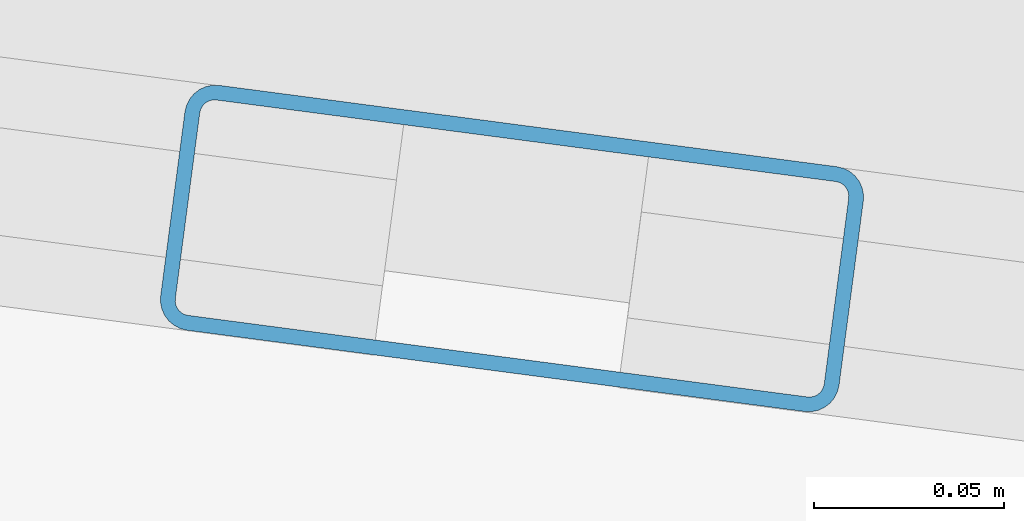
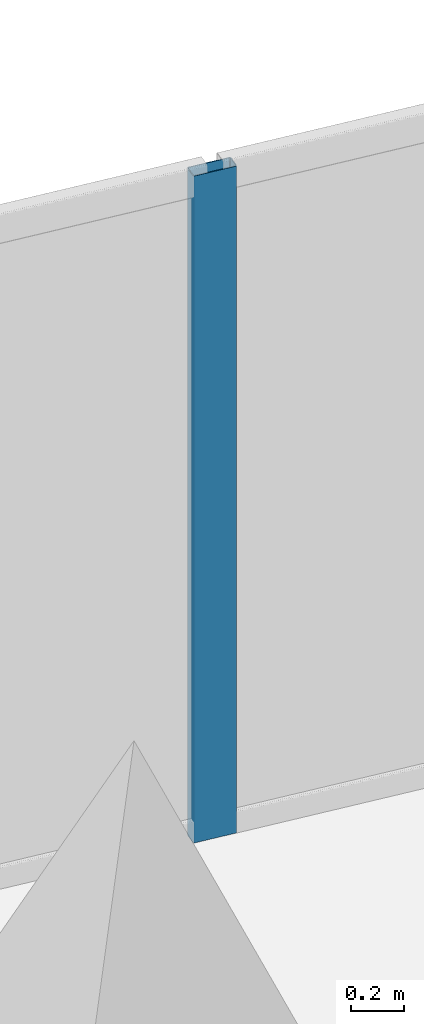
# One storey, part 16 of 24: 1 member, 1 element without a shape of its own.
"""IFC4 building model written with IfcOpenShell, lengths in metres."""

from ifc_helpers import new_model, si_unit, direction, frame, origin, origin_2d, place, context, subcontext, project, spatial, hollow_rectangle, extrude, source, transform, mapped, material, material_profile, profile_set, type_object, element, aggregate, save


model = new_model("IFC4")

# Units and contexts
model_context = context("Model", 3, precision=1e-05, world=origin(), true_north=direction((0.0, 1.0)))
body_context = subcontext(model_context, "Body", "Model", "MODEL_VIEW")
ifc_project = project(units=[si_unit("LENGTHUNIT", "METRE"), si_unit("AREAUNIT", "SQUARE_METRE"), si_unit("VOLUMEUNIT", "CUBIC_METRE"), si_unit("PLANEANGLEUNIT", "RADIAN"), si_unit("MASSUNIT", "GRAM", prefix="KILO")], contexts=[model_context])

# Site, building, storey
site_placement = place(None, origin())
site = spatial("IfcSite", under=ifc_project, at=site_placement, CompositionType="ELEMENT")
building_placement = place(site_placement, origin())
building = spatial("IfcBuilding", under=site, at=building_placement, Name="Torre Montelarca", CompositionType="ELEMENT")
storey_placement = place(building_placement, frame((0.0, 0.0, 70.60009765625)))
storey = spatial("IfcBuildingStorey", under=building, at=storey_placement, Name="L15", CompositionType="ELEMENT", Elevation=70.60009765625)

# Curtain wall, member
ifc_material_1 = material(Name="Insulated low-E laminated glass", Category="glass")
curtain_wall_type = type_object("IfcCurtainWallType", Name="CW-SYS-Z1", PredefinedType="USERDEFINED", material=ifc_material_1)
curtain_wall_placement = place(storey_placement, origin())
curtain_wall = element("IfcCurtainWall", 1, at=curtain_wall_placement, inside=storey, type_object=curtain_wall_type, Name="L15 Curtain Wall Run CW-T3-L15-E08-B1", ObjectType="UNITISED GLAZING", PredefinedType="USERDEFINED")
ifc_material_2 = material(Name="Anodised aluminium AA 6063-T6", Category="aluminium")
ifc_material_profile = material_profile(ifc_material_2, hollow_rectangle(XDim=0.06494140625, YDim=0.179931640625, WallThickness=0.00390625, InnerFilletRadius=0.00390625, OuterFilletRadius=0.008056640625, at=origin_2d()), Name="ALU65X180X4", Category="aluminium")
ifc_profile_set = profile_set([ifc_material_profile], Name="Anodised aluminium AA 6063-T6")
member_type = type_object("IfcMemberType", Name="CWM-ALU180", PredefinedType="MULLION", material=ifc_profile_set)
shared_shape = source(origin(), body_context, "Body", "SweptSolid", [
    extrude(hollow_rectangle(XDim=0.06494140625, YDim=0.179931640625, WallThickness=0.00390625, InnerFilletRadius=0.00390625, OuterFilletRadius=0.008056640625, at=origin_2d()), origin(), (0.0, 0.0, 1.0), 3.074951171875),
])
member_placement = place(storey_placement, frame((45.753173828125, 45.015869140625, 0.0), z_axis=(0.0, 0.0, 1.0), x_axis=(-0.130525286859, -0.991444980566, 0.0)))
member = element("IfcMember", 2, at=member_placement, type_object=member_type, Name="CW mullion 2", PredefinedType="MULLION", context=body_context, shape_type="MappedRepresentation", body=[
    mapped(shared_shape, transform((0.0, 0.0, 0.0), scale=1.0)),
])
aggregate(curtain_wall, [member])

save(model, "model.ifc")
